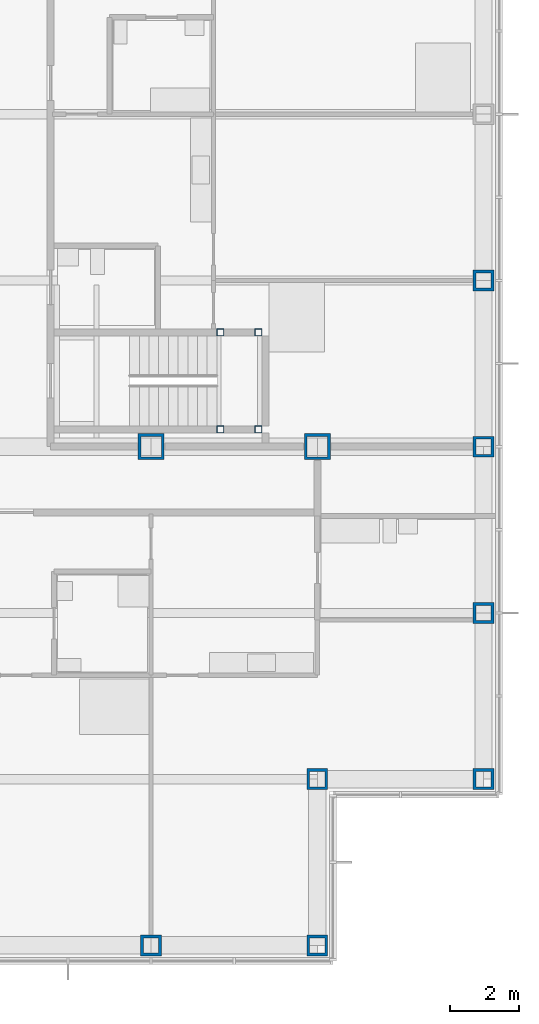
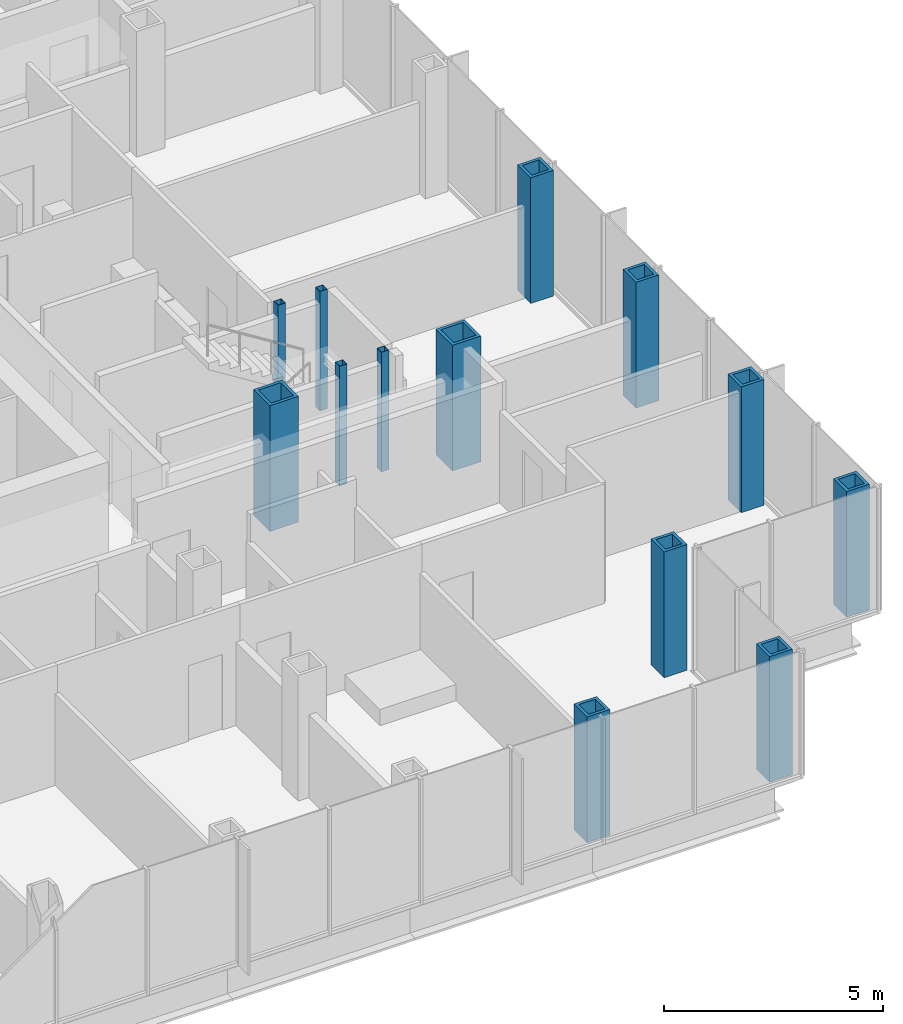
# One storey, part 4 of 21: 13 columns.
"""IFC4 building model written with IfcOpenShell, lengths in metres."""

from ifc_helpers import new_model, si_unit, direction, frame, origin, origin_2d, place, context, subcontext, project, spatial, hollow_rectangle, extrude, material, material_profile, profile_set, type_object, element, save


model = new_model("IFC4")

# Units and contexts
model_context = context("Model", 3, precision=1e-05, world=origin(), true_north=direction((0.0, 1.0)))
body_context = subcontext(model_context, "Body", "Model", "MODEL_VIEW")
ifc_project = project(units=[si_unit("LENGTHUNIT", "METRE"), si_unit("AREAUNIT", "SQUARE_METRE"), si_unit("VOLUMEUNIT", "CUBIC_METRE"), si_unit("PLANEANGLEUNIT", "RADIAN"), si_unit("MASSUNIT", "GRAM", prefix="KILO")], contexts=[model_context])

# Site, building, storey
site_placement = place(None, origin())
site = spatial("IfcSite", under=ifc_project, at=site_placement, CompositionType="ELEMENT")
building_placement = place(site_placement, origin())
building = spatial("IfcBuilding", under=site, at=building_placement, Name="Kvirike Care Tower", CompositionType="ELEMENT")
storey_placement = place(building_placement, frame((0.0, 0.0, 65.5)))
storey = spatial("IfcBuildingStorey", under=building, at=storey_placement, Name="L17", CompositionType="ELEMENT", Elevation=65.5)

# Columns
ifc_material_1 = material(Name="Steel S460", Category="steel")
ifc_material_profile_1 = material_profile(ifc_material_1, hollow_rectangle(XDim=0.60009765625, YDim=0.60009765625, WallThickness=0.080078125, at=origin_2d()), Name="BX 600x600x80")
ifc_profile_set_1 = profile_set([ifc_material_profile_1], Name="Steel S460")
column_type_1 = type_object("IfcColumnType", Name="COLUMN BX 600x600x80", PredefinedType="COLUMN", material=ifc_profile_set_1)
for number, where, z_axis, x_axis, name in (
    (1, (33.60009765625, 14.39990234375, 0.0), (0.0, 0.0, 1.0), (0.0, 1.0, 0.0), "Column D10 L17"),
    (2, (38.39990234375, 14.39990234375, 0.0), (0.0, 0.0, 1.0), (0.0, 1.0, 0.0), "Column D11 L17"),
    (3, (38.39990234375, 19.199951171875, 0.0), (0.0, 0.0, 1.0), (0.0, 1.0, 0.0), "Column E11 L17"),
    (4, (43.199951171875, 19.199951171875, 0.0), (0.0, 0.0, 1.0), (0.0, 1.0, 0.0), "Column E12 L17"),
    (5, (43.199951171875, 24.0, 0.0), (0.0, 0.0, 1.0), (1.0, 0.0, 0.0), "Column F12 L17"),
    (6, (43.199951171875, 28.800048828125, 0.0), (0.0, 0.0, 1.0), (0.0, 1.0, 0.0), "Column G12 L17"),
    (7, (43.199951171875, 33.60009765625, 0.0), (0.0, 0.0, 1.0), (1.0, 0.0, 0.0), "Column H12 L17"),
):
    element("IfcColumn", number, at=place(storey_placement, frame(where, z_axis=z_axis, x_axis=x_axis)), inside=storey, type_object=column_type_1, Name=name, PredefinedType="COLUMN", context=body_context, shape_type="SweptSolid", body=[
        extrude(hollow_rectangle(XDim=0.60009765625, YDim=0.60009765625, WallThickness=0.080078125, at=origin_2d()), origin(), (0.0, 0.0, 1.0), 3.5),
    ])
ifc_material_2 = material(Name="Steel S460", Category="steel")
ifc_material_profile_2 = material_profile(ifc_material_2, hollow_rectangle(XDim=0.75, YDim=0.75, WallThickness=0.080078125, at=origin_2d()), Name="BX 750x750x80")
ifc_profile_set_2 = profile_set([ifc_material_profile_2], Name="Steel S460")
column_type_2 = type_object("IfcColumnType", Name="COLUMN BX 750x750x80", PredefinedType="COLUMN", material=ifc_profile_set_2)
for number, where, z_axis, x_axis, name in (
    (8, (33.60009765625, 28.800048828125, 0.0), (0.0, 0.0, 1.0), (0.0, 1.0, 0.0), "Column G10 L17"),
    (9, (38.39990234375, 28.800048828125, 0.0), (0.0, 0.0, 1.0), (0.0, 1.0, 0.0), "Column G11 L17"),
):
    element("IfcColumn", number, at=place(storey_placement, frame(where, z_axis=z_axis, x_axis=x_axis)), inside=storey, type_object=column_type_2, Name=name, PredefinedType="COLUMN", context=body_context, shape_type="SweptSolid", body=[
        extrude(hollow_rectangle(XDim=0.75, YDim=0.75, WallThickness=0.080078125, at=origin_2d()), origin(), (0.0, 0.0, 1.0), 3.5),
    ])
ifc_material_3 = material(Name="Steel S460", Category="steel")
ifc_material_profile_3 = material_profile(ifc_material_3, hollow_rectangle(XDim=0.199951171875, YDim=0.199951171875, WallThickness=0.008056640625, at=origin_2d()), Name="SHS 200x200x8")
ifc_profile_set_3 = profile_set([ifc_material_profile_3], Name="Steel S460")
column_type_3 = type_object("IfcColumnType", Name="STAIR POST SHS 200x200x8", PredefinedType="COLUMN", material=ifc_profile_set_3)
for number, where, z_axis, x_axis, name in (
    (10, (36.699951171875, 29.300048828125, 0.0), (0.0, 0.0, 1.0), (1.0, 0.0, 0.0), "Stair 2 post 1 L17"),
    (11, (36.699951171875, 32.10009765625, 0.0), (0.0, 0.0, 1.0), (1.0, 0.0, 0.0), "Stair 2 post 2 L17"),
    (12, (35.60009765625, 29.300048828125, 0.0), (0.0, 0.0, 1.0), (1.0, 0.0, 0.0), "Stair 2 post 3 L17"),
    (13, (35.60009765625, 32.10009765625, 0.0), (0.0, 0.0, 1.0), (1.0, 0.0, 0.0), "Stair 2 post 4 L17"),
):
    element("IfcColumn", number, at=place(storey_placement, frame(where, z_axis=z_axis, x_axis=x_axis)), inside=storey, type_object=column_type_3, Name=name, PredefinedType="COLUMN", context=body_context, shape_type="SweptSolid", body=[
        extrude(hollow_rectangle(XDim=0.199951171875, YDim=0.199951171875, WallThickness=0.008056640625, at=origin_2d()), origin(), (0.0, 0.0, 1.0), 3.330078125),
    ])

save(model, "model.ifc")
